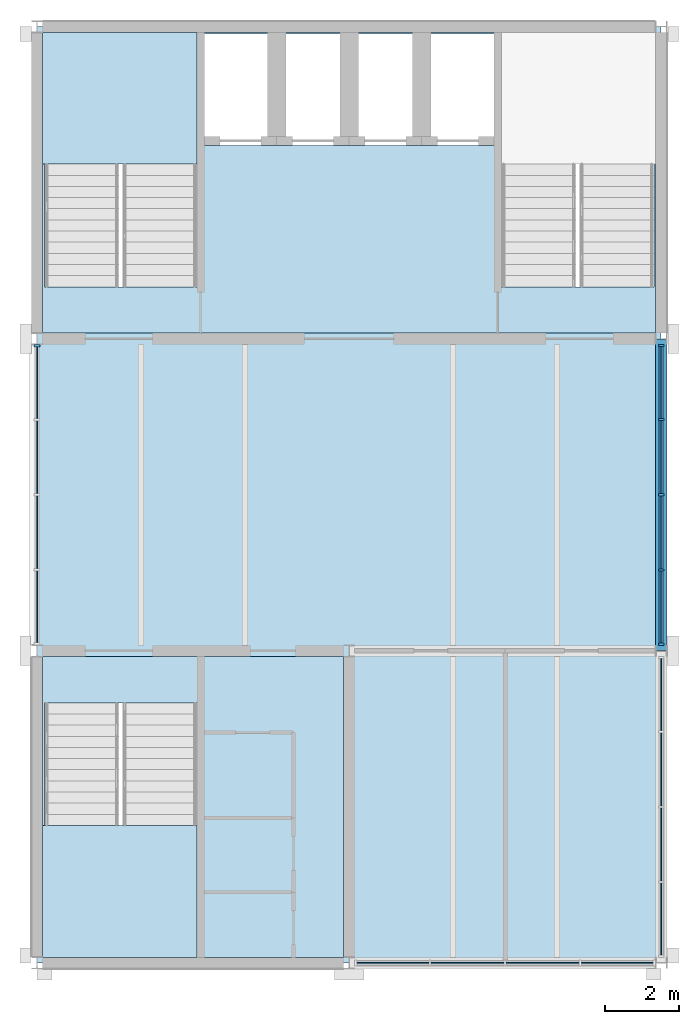
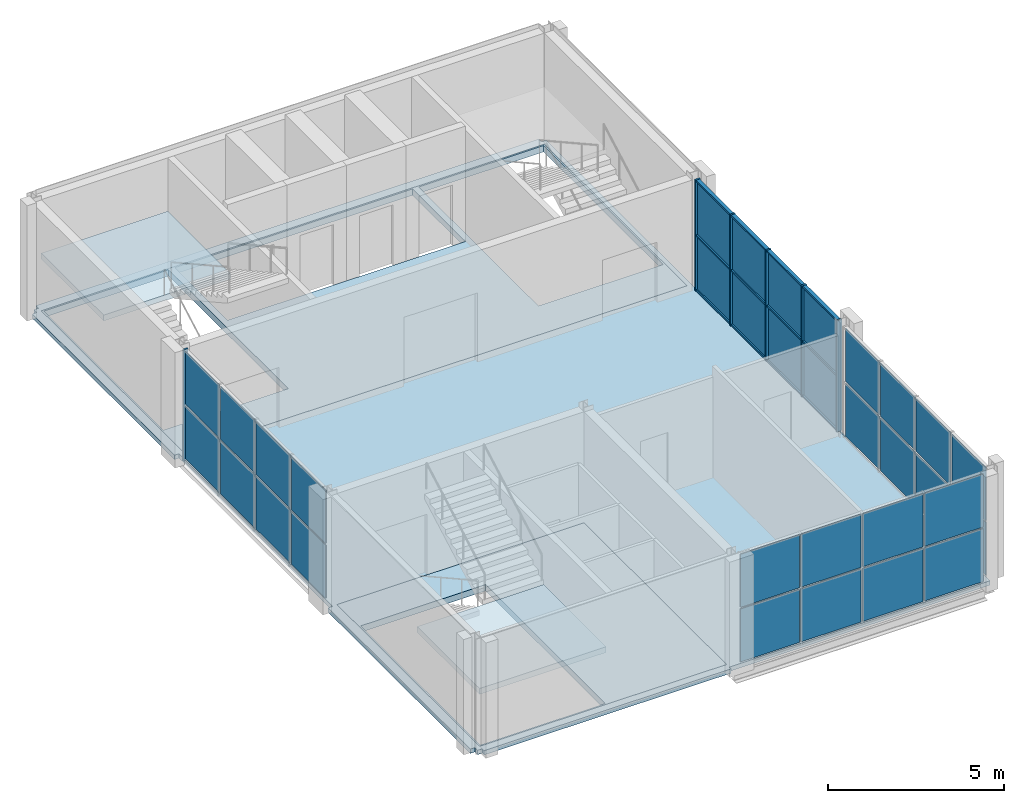
# One storey, part 2 of 5: 32 plates, 18 members, 5 slabs, 1 beam, 6 elements without a shape of their own.
"""IFC4 building model written with IfcOpenShell, lengths in metres."""

from ifc_helpers import new_model, si_unit, direction, frame, origin, origin_2d, place, context, subcontext, project, spatial, polyline, rectangle, i_section, outline, extrude, material, layer, layer_set, material_profile, profile_set, type_object, element, aggregate, save


model = new_model("IFC4")

# Units and contexts
model_context = context("Model", 3, precision=1e-05, world=origin(), true_north=direction((0.0, 1.0)))
body_context = subcontext(model_context, "Body", "Model", "MODEL_VIEW")
ifc_project = project(units=[si_unit("LENGTHUNIT", "METRE"), si_unit("AREAUNIT", "SQUARE_METRE"), si_unit("VOLUMEUNIT", "CUBIC_METRE"), si_unit("PLANEANGLEUNIT", "RADIAN"), si_unit("MASSUNIT", "GRAM", prefix="KILO")], contexts=[model_context])

# Site, building, storey
site_placement = place(None, origin())
site = spatial("IfcSite", under=ifc_project, at=site_placement, CompositionType="ELEMENT")
building_placement = place(site_placement, origin())
building = spatial("IfcBuilding", under=site, at=building_placement, Name="Galleria Vessillo Department Store", CompositionType="ELEMENT")
storey_placement = place(building_placement, frame((0.0, 0.0, 63.60009765625)))
storey = spatial("IfcBuildingStorey", under=building, at=storey_placement, Name="L14", CompositionType="ELEMENT", Elevation=63.60009765625)

# Curtain wall, member
ifc_material_1 = material(Name="Aluminium and glass curtain wall", Category="aluminium")
ifc_layer_1 = layer(ifc_material_1, 0.159912109375)
ifc_layer_set_1 = layer_set([ifc_layer_1], Name="Aluminium and glass curtain wall")
curtain_wall_type = type_object("IfcCurtainWallType", Name="Tower curtain wall CW4 2100 module", PredefinedType="NOTDEFINED", material=ifc_layer_set_1)
curtain_wall_1_placement = place(storey_placement, origin())
curtain_wall_1 = element("IfcCurtainWall", 1, at=curtain_wall_1_placement, inside=storey, type_object=curtain_wall_type, Name="Tower curtain wall CW4 2100 module TW-L14-01", PredefinedType="NOTDEFINED")
ifc_material_2 = material(Name="Aluminium alloy 6063 T6", Category="aluminium")
ifc_material_profile_1 = material_profile(ifc_material_2, rectangle(XDim=0.159912109375, YDim=0.06005859375, at=origin_2d()), Name="AL 60x160")
ifc_profile_set_1 = profile_set([ifc_material_profile_1], Name="Aluminium alloy 6063 T6")
member_type_1 = type_object("IfcMemberType", Name="Aluminium mullion 60 x 160", PredefinedType="MULLION", material=ifc_profile_set_1)
member_1_placement = place(storey_placement, frame((100.800048828125, 54.41015625, 0.0), z_axis=(0.0, 0.0, 1.0), x_axis=(-1.0, 0.0, 0.0)))
member_1 = element("IfcMember", 2, at=member_1_placement, type_object=member_type_1, Name="CW4 mullion 5", PredefinedType="MULLION", context=body_context, shape_type="SweptSolid", body=[
    extrude(rectangle(XDim=0.159912109375, YDim=0.06005859375, at=origin_2d()), origin(), (0.0, 0.0, 1.0), 3.85009765625),
])

# Curtain wall, members
curtain_wall_2_placement = place(storey_placement, origin())
curtain_wall_2 = element("IfcCurtainWall", 3, at=curtain_wall_2_placement, inside=storey, type_object=curtain_wall_type, Name="Tower curtain wall CW4 2100 module TE-L14-02", PredefinedType="NOTDEFINED")
member_2_placement = place(storey_placement, frame((117.60009765625, 46.3798828125, 0.0), z_axis=(0.0, 0.0, 1.0), x_axis=(-1.0, 0.0, 0.0)))
member_2 = element("IfcMember", 4, at=member_2_placement, type_object=member_type_1, Name="CW4 mullion 1", PredefinedType="MULLION", context=body_context, shape_type="SweptSolid", body=[
    extrude(rectangle(XDim=0.159912109375, YDim=0.06005859375, at=origin_2d()), origin(), (0.0, 0.0, 1.0), 3.85009765625),
])
member_3_placement = place(storey_placement, frame((117.60009765625, 48.375, 0.0), z_axis=(0.0, 0.0, 1.0), x_axis=(-1.0, 0.0, 0.0)))
member_3 = element("IfcMember", 5, at=member_3_placement, type_object=member_type_1, Name="CW4 mullion 2", PredefinedType="MULLION", context=body_context, shape_type="SweptSolid", body=[
    extrude(rectangle(XDim=0.159912109375, YDim=0.06005859375, at=origin_2d()), origin(), (0.0, 0.0, 1.0), 3.85009765625),
])
member_4_placement = place(storey_placement, frame((117.60009765625, 50.39990234375, 0.0), z_axis=(0.0, 0.0, 1.0), x_axis=(-1.0, 0.0, 0.0)))
member_4 = element("IfcMember", 6, at=member_4_placement, type_object=member_type_1, Name="CW4 mullion 3", PredefinedType="MULLION", context=body_context, shape_type="SweptSolid", body=[
    extrude(rectangle(XDim=0.159912109375, YDim=0.06005859375, at=origin_2d()), origin(), (0.0, 0.0, 1.0), 3.85009765625),
])
member_5_placement = place(storey_placement, frame((117.60009765625, 52.425048828125, 0.0), z_axis=(0.0, 0.0, 1.0), x_axis=(-1.0, 0.0, 0.0)))
member_5 = element("IfcMember", 7, at=member_5_placement, type_object=member_type_1, Name="CW4 mullion 4", PredefinedType="MULLION", context=body_context, shape_type="SweptSolid", body=[
    extrude(rectangle(XDim=0.159912109375, YDim=0.06005859375, at=origin_2d()), origin(), (0.0, 0.0, 1.0), 3.85009765625),
])
member_6_placement = place(storey_placement, frame((117.60009765625, 54.420166015625, 0.0), z_axis=(0.0, 0.0, 1.0), x_axis=(-1.0, 0.0, 0.0)))
member_6 = element("IfcMember", 8, at=member_6_placement, type_object=member_type_1, Name="CW4 mullion 5", PredefinedType="MULLION", context=body_context, shape_type="SweptSolid", body=[
    extrude(rectangle(XDim=0.159912109375, YDim=0.06005859375, at=origin_2d()), origin(), (0.0, 0.0, 1.0), 3.85009765625),
])
ifc_material_3 = material(Name="Aluminium alloy 6063 T6", Category="aluminium")
ifc_material_profile_2 = material_profile(ifc_material_3, rectangle(XDim=0.1201171875, YDim=0.06005859375, at=origin_2d()), Name="AL 60x120")
ifc_profile_set_2 = profile_set([ifc_material_profile_2], Name="Aluminium alloy 6063 T6")
member_type_2 = type_object("IfcMemberType", Name="Aluminium transom 60 x 120", PredefinedType="USERDEFINED", material=ifc_profile_set_2)
member_7_placement = place(storey_placement, frame((117.60009765625, 46.409912109375, 0.030029296875), z_axis=(0.0, 1.0, 0.0), x_axis=(-1.0, 0.0, 0.0)))
member_7 = element("IfcMember", 9, at=member_7_placement, type_object=member_type_2, Name="CW4 transom 1.1", ObjectType="TRANSOM", PredefinedType="USERDEFINED", context=body_context, shape_type="SweptSolid", body=[
    extrude(rectangle(XDim=0.1201171875, YDim=0.06005859375, at=origin_2d()), origin(), (0.0, 0.0, 1.0), 1.93505859375),
])
member_8_placement = place(storey_placement, frame((117.60009765625, 46.409912109375, 1.925048828125), z_axis=(0.0, 1.0, 0.0), x_axis=(-1.0, 0.0, 0.0)))
member_8 = element("IfcMember", 10, at=member_8_placement, type_object=member_type_2, Name="CW4 transom 1.2", ObjectType="TRANSOM", PredefinedType="USERDEFINED", context=body_context, shape_type="SweptSolid", body=[
    extrude(rectangle(XDim=0.1201171875, YDim=0.06005859375, at=origin_2d()), origin(), (0.0, 0.0, 1.0), 1.93505859375),
])
member_9_placement = place(storey_placement, frame((117.60009765625, 46.409912109375, 3.820068359375), z_axis=(0.0, 1.0, 0.0), x_axis=(-1.0, 0.0, 0.0)))
member_9 = element("IfcMember", 11, at=member_9_placement, type_object=member_type_2, Name="CW4 transom 1.3", ObjectType="TRANSOM", PredefinedType="USERDEFINED", context=body_context, shape_type="SweptSolid", body=[
    extrude(rectangle(XDim=0.1201171875, YDim=0.06005859375, at=origin_2d()), origin(), (0.0, 0.0, 1.0), 1.93505859375),
])
member_10_placement = place(storey_placement, frame((117.60009765625, 48.405029296875, 0.030029296875), z_axis=(0.0, 1.0, 0.0), x_axis=(-1.0, 0.0, 0.0)))
member_10 = element("IfcMember", 12, at=member_10_placement, type_object=member_type_2, Name="CW4 transom 2.1", ObjectType="TRANSOM", PredefinedType="USERDEFINED", context=body_context, shape_type="SweptSolid", body=[
    extrude(rectangle(XDim=0.1201171875, YDim=0.06005859375, at=origin_2d()), origin(), (0.0, 0.0, 1.0), 1.965087890625),
])
member_11_placement = place(storey_placement, frame((117.60009765625, 48.405029296875, 1.925048828125), z_axis=(0.0, 1.0, 0.0), x_axis=(-1.0, 0.0, 0.0)))
member_11 = element("IfcMember", 13, at=member_11_placement, type_object=member_type_2, Name="CW4 transom 2.2", ObjectType="TRANSOM", PredefinedType="USERDEFINED", context=body_context, shape_type="SweptSolid", body=[
    extrude(rectangle(XDim=0.1201171875, YDim=0.06005859375, at=origin_2d()), origin(), (0.0, 0.0, 1.0), 1.965087890625),
])
member_12_placement = place(storey_placement, frame((117.60009765625, 48.405029296875, 3.820068359375), z_axis=(0.0, 1.0, 0.0), x_axis=(-1.0, 0.0, 0.0)))
member_12 = element("IfcMember", 14, at=member_12_placement, type_object=member_type_2, Name="CW4 transom 2.3", ObjectType="TRANSOM", PredefinedType="USERDEFINED", context=body_context, shape_type="SweptSolid", body=[
    extrude(rectangle(XDim=0.1201171875, YDim=0.06005859375, at=origin_2d()), origin(), (0.0, 0.0, 1.0), 1.965087890625),
])
member_13_placement = place(storey_placement, frame((117.60009765625, 50.429931640625, 0.030029296875), z_axis=(0.0, 1.0, 0.0), x_axis=(-1.0, 0.0, 0.0)))
member_13 = element("IfcMember", 15, at=member_13_placement, type_object=member_type_2, Name="CW4 transom 3.1", ObjectType="TRANSOM", PredefinedType="USERDEFINED", context=body_context, shape_type="SweptSolid", body=[
    extrude(rectangle(XDim=0.1201171875, YDim=0.06005859375, at=origin_2d()), origin(), (0.0, 0.0, 1.0), 1.965087890625),
])
member_14_placement = place(storey_placement, frame((117.60009765625, 50.429931640625, 1.925048828125), z_axis=(0.0, 1.0, 0.0), x_axis=(-1.0, 0.0, 0.0)))
member_14 = element("IfcMember", 16, at=member_14_placement, type_object=member_type_2, Name="CW4 transom 3.2", ObjectType="TRANSOM", PredefinedType="USERDEFINED", context=body_context, shape_type="SweptSolid", body=[
    extrude(rectangle(XDim=0.1201171875, YDim=0.06005859375, at=origin_2d()), origin(), (0.0, 0.0, 1.0), 1.965087890625),
])
member_15_placement = place(storey_placement, frame((117.60009765625, 50.429931640625, 3.820068359375), z_axis=(0.0, 1.0, 0.0), x_axis=(-1.0, 0.0, 0.0)))
member_15 = element("IfcMember", 17, at=member_15_placement, type_object=member_type_2, Name="CW4 transom 3.3", ObjectType="TRANSOM", PredefinedType="USERDEFINED", context=body_context, shape_type="SweptSolid", body=[
    extrude(rectangle(XDim=0.1201171875, YDim=0.06005859375, at=origin_2d()), origin(), (0.0, 0.0, 1.0), 1.965087890625),
])
member_16_placement = place(storey_placement, frame((117.60009765625, 52.455078125, 0.030029296875), z_axis=(0.0, 1.0, 0.0), x_axis=(-1.0, 0.0, 0.0)))
member_16 = element("IfcMember", 18, at=member_16_placement, type_object=member_type_2, Name="CW4 transom 4.1", ObjectType="TRANSOM", PredefinedType="USERDEFINED", context=body_context, shape_type="SweptSolid", body=[
    extrude(rectangle(XDim=0.1201171875, YDim=0.06005859375, at=origin_2d()), origin(), (0.0, 0.0, 1.0), 1.93505859375),
])
member_17_placement = place(storey_placement, frame((117.60009765625, 52.455078125, 1.925048828125), z_axis=(0.0, 1.0, 0.0), x_axis=(-1.0, 0.0, 0.0)))
member_17 = element("IfcMember", 19, at=member_17_placement, type_object=member_type_2, Name="CW4 transom 4.2", ObjectType="TRANSOM", PredefinedType="USERDEFINED", context=body_context, shape_type="SweptSolid", body=[
    extrude(rectangle(XDim=0.1201171875, YDim=0.06005859375, at=origin_2d()), origin(), (0.0, 0.0, 1.0), 1.93505859375),
])
member_18_placement = place(storey_placement, frame((117.60009765625, 52.455078125, 3.820068359375), z_axis=(0.0, 1.0, 0.0), x_axis=(-1.0, 0.0, 0.0)))
member_18 = element("IfcMember", 20, at=member_18_placement, type_object=member_type_2, Name="CW4 transom 4.3", ObjectType="TRANSOM", PredefinedType="USERDEFINED", context=body_context, shape_type="SweptSolid", body=[
    extrude(rectangle(XDim=0.1201171875, YDim=0.06005859375, at=origin_2d()), origin(), (0.0, 0.0, 1.0), 1.93505859375),
])

# Beam
ifc_material_4 = material(Name="Steel S355 J2", Category="steel")
ifc_material_profile_3 = material_profile(ifc_material_4, i_section(OverallWidth=0.300048828125, OverallDepth=0.2900390625, WebThickness=0.008544921875, FlangeThickness=0.013916015625, FilletRadius=0.027099609375, at=origin_2d()), Name="HEA 300")
ifc_profile_set_3 = profile_set([ifc_material_profile_3], Name="Steel S355 J2")
beam_type = type_object("IfcBeamType", Name="Spandrel beam HEA 300", PredefinedType="SPANDREL", material=ifc_profile_set_3)
beam_placement = place(storey_placement, frame((117.60009765625, 46.205810546875, -0.294921875), z_axis=(0.0, 1.0, 0.0), x_axis=(-1.0, 0.0, 0.0)))
element("IfcBeam", 21, at=beam_placement, inside=storey, type_object=beam_type, Name="S-BM-L14-SP-y117600-46206", PredefinedType="SPANDREL", context=body_context, shape_type="SweptSolid", body=[
    extrude(i_section(OverallWidth=0.300048828125, OverallDepth=0.2900390625, WebThickness=0.008544921875, FlangeThickness=0.013916015625, FilletRadius=0.027099609375, at=origin_2d()), origin(), (0.0, 0.0, 1.0), 8.388427734375),
])

# Slab
ifc_material_5 = material(Name="Concrete C32/40 composite on steel deck", Category="concrete")
ifc_layer_2 = layer(ifc_material_5, 0.14990234375)
ifc_layer_set_2 = layer_set([ifc_layer_2], Name="Concrete C32/40 composite on steel deck")
slab_type_1 = type_object("IfcSlabType", Name="Composite floor slab 150 mm", PredefinedType="FLOOR", material=ifc_layer_set_2)
slab_1_placement = place(storey_placement, frame((0.0, 0.0, -0.14990234375)))
element("IfcSlab", 22, at=slab_1_placement, inside=storey, type_object=slab_type_1, Name="S-SLAB-L14-FLOOR", PredefinedType="FLOOR", context=body_context, shape_type="SweptSolid", body=[
    extrude(outline(polyline([(100.650634765625, 46.039306640625), (100.800048828125, 46.039306640625), (100.800048828125, 54.7607421875), (100.650634765625, 54.7607421875), (100.650634765625, 62.83935546875), (100.800048828125, 62.83935546875), (100.800048828125, 63.0), (100.95068359375, 63.0), (100.95068359375, 63.1494140625), (117.439453125, 63.1494140625), (117.439453125, 63.0), (117.60009765625, 63.0), (117.60009765625, 37.800048828125), (109.04931640625, 37.800048828125), (109.04931640625, 37.699951171875), (100.95068359375, 37.699951171875), (100.95068359375, 37.800048828125), (100.800048828125, 37.800048828125), (100.800048828125, 37.960693359375), (100.650634765625, 37.960693359375), (100.650634765625, 46.039306640625)]), holes=[polyline([(109.050048828125, 37.949951171875), (109.050048828125, 46.050048828125), (100.949951171875, 46.050048828125), (100.949951171875, 37.949951171875), (109.050048828125, 37.949951171875)]), polyline([(117.4501953125, 54.75), (117.4501953125, 62.85009765625), (100.949951171875, 62.85009765625), (100.949951171875, 54.75), (117.4501953125, 54.75)])]), origin(), (0.0, 0.0, 1.0), 0.14990234375),
])

# Plate
ifc_material_6 = material(Name="Glass laminated 44.2 low-e", Category="glass")
ifc_layer_3 = layer(ifc_material_6, 0.028076171875)
ifc_layer_set_3 = layer_set([ifc_layer_3], Name="Glass laminated 44.2 low-e")
plate_type_1 = type_object("IfcPlateType", Name="Laminated glass panel 28 mm", PredefinedType="CURTAIN_PANEL", material=ifc_layer_set_3)
plate_1_placement = place(storey_placement, frame((100.800048828125, 47.385009765625, 1.955078125), z_axis=(0.0, 0.0, 1.0), x_axis=(0.0, 1.0, 0.0)))
plate_1 = element("IfcPlate", 23, at=plate_1_placement, type_object=plate_type_1, Name="CW4 panel 1.2", PredefinedType="CURTAIN_PANEL", context=body_context, shape_type="SweptSolid", body=[
    extrude(rectangle(XDim=1.93017578125, YDim=0.028076171875, at=origin_2d()), origin(), (0.0, 0.0, 1.0), 1.835205078125),
])

plate_2_placement = place(storey_placement, frame((100.800048828125, 49.389892578125, 1.955078125), z_axis=(0.0, 0.0, 1.0), x_axis=(0.0, 1.0, 0.0)))
plate_2 = element("IfcPlate", 24, at=plate_2_placement, type_object=plate_type_1, Name="CW4 panel 2.2", PredefinedType="CURTAIN_PANEL", context=body_context, shape_type="SweptSolid", body=[
    extrude(rectangle(XDim=1.9599609375, YDim=0.028076171875, at=origin_2d()), origin(), (0.0, 0.0, 1.0), 1.835205078125),
])

plate_3_placement = place(storey_placement, frame((100.800048828125, 51.41015625, 1.955078125), z_axis=(0.0, 0.0, 1.0), x_axis=(0.0, 1.0, 0.0)))
plate_3 = element("IfcPlate", 25, at=plate_3_placement, type_object=plate_type_1, Name="CW4 panel 3.2", PredefinedType="CURTAIN_PANEL", context=body_context, shape_type="SweptSolid", body=[
    extrude(rectangle(XDim=1.9599609375, YDim=0.028076171875, at=origin_2d()), origin(), (0.0, 0.0, 1.0), 1.835205078125),
])

plate_4_placement = place(storey_placement, frame((100.800048828125, 53.4150390625, 1.955078125), z_axis=(0.0, 0.0, 1.0), x_axis=(0.0, 1.0, 0.0)))
plate_4 = element("IfcPlate", 26, at=plate_4_placement, type_object=plate_type_1, Name="CW4 panel 4.2", PredefinedType="CURTAIN_PANEL", context=body_context, shape_type="SweptSolid", body=[
    extrude(rectangle(XDim=1.93017578125, YDim=0.028076171875, at=origin_2d()), origin(), (0.0, 0.0, 1.0), 1.835205078125),
])

# Curtain wall, plates
curtain_wall_3_placement = place(storey_placement, origin())
curtain_wall_3 = element("IfcCurtainWall", 27, at=curtain_wall_3_placement, inside=storey, type_object=curtain_wall_type, Name="Tower curtain wall CW4 2100 module TS-L14-01", PredefinedType="NOTDEFINED")
plate_5_placement = place(storey_placement, frame((110.376220703125, 37.800048828125, 1.955078125), z_axis=(0.0, 0.0, 1.0), x_axis=(1.0, 0.0, 0.0)))
plate_5 = element("IfcPlate", 28, at=plate_5_placement, type_object=plate_type_1, Name="CW4 panel 1.2", PredefinedType="CURTAIN_PANEL", context=body_context, shape_type="SweptSolid", body=[
    extrude(rectangle(XDim=1.9326171875, YDim=0.028076171875, at=origin_2d()), origin(), (0.0, 0.0, 1.0), 1.835205078125),
])
plate_6_placement = place(storey_placement, frame((112.3837890625, 37.800048828125, 1.955078125), z_axis=(0.0, 0.0, 1.0), x_axis=(1.0, 0.0, 0.0)))
plate_6 = element("IfcPlate", 29, at=plate_6_placement, type_object=plate_type_1, Name="CW4 panel 2.2", PredefinedType="CURTAIN_PANEL", context=body_context, shape_type="SweptSolid", body=[
    extrude(rectangle(XDim=1.962646484375, YDim=0.028076171875, at=origin_2d()), origin(), (0.0, 0.0, 1.0), 1.835205078125),
])
plate_7_placement = place(storey_placement, frame((114.40625, 37.800048828125, 1.955078125), z_axis=(0.0, 0.0, 1.0), x_axis=(1.0, 0.0, 0.0)))
plate_7 = element("IfcPlate", 30, at=plate_7_placement, type_object=plate_type_1, Name="CW4 panel 3.2", PredefinedType="CURTAIN_PANEL", context=body_context, shape_type="SweptSolid", body=[
    extrude(rectangle(XDim=1.962646484375, YDim=0.028076171875, at=origin_2d()), origin(), (0.0, 0.0, 1.0), 1.835205078125),
])
plate_8_placement = place(storey_placement, frame((116.413818359375, 37.800048828125, 1.955078125), z_axis=(0.0, 0.0, 1.0), x_axis=(1.0, 0.0, 0.0)))
plate_8 = element("IfcPlate", 31, at=plate_8_placement, type_object=plate_type_1, Name="CW4 panel 4.2", PredefinedType="CURTAIN_PANEL", context=body_context, shape_type="SweptSolid", body=[
    extrude(rectangle(XDim=1.9326171875, YDim=0.028076171875, at=origin_2d()), origin(), (0.0, 0.0, 1.0), 1.835205078125),
])

curtain_wall_4_placement = place(storey_placement, origin())
curtain_wall_4 = element("IfcCurtainWall", 32, at=curtain_wall_4_placement, inside=storey, type_object=curtain_wall_type, Name="Tower curtain wall CW4 2100 module TE-L14-01", PredefinedType="NOTDEFINED")
plate_9_placement = place(storey_placement, frame((117.60009765625, 38.9775390625, 1.955078125), z_axis=(0.0, 0.0, 1.0), x_axis=(0.0, 1.0, 0.0)))
plate_9 = element("IfcPlate", 33, at=plate_9_placement, type_object=plate_type_1, Name="CW4 panel 1.2", PredefinedType="CURTAIN_PANEL", context=body_context, shape_type="SweptSolid", body=[
    extrude(rectangle(XDim=1.93505859375, YDim=0.028076171875, at=origin_2d()), origin(), (0.0, 0.0, 1.0), 1.835205078125),
])
plate_10_placement = place(storey_placement, frame((117.60009765625, 40.987548828125, 1.955078125), z_axis=(0.0, 0.0, 1.0), x_axis=(0.0, 1.0, 0.0)))
plate_10 = element("IfcPlate", 34, at=plate_10_placement, type_object=plate_type_1, Name="CW4 panel 2.2", PredefinedType="CURTAIN_PANEL", context=body_context, shape_type="SweptSolid", body=[
    extrude(rectangle(XDim=1.965087890625, YDim=0.028076171875, at=origin_2d()), origin(), (0.0, 0.0, 1.0), 1.835205078125),
])
plate_11_placement = place(storey_placement, frame((117.60009765625, 43.012451171875, 1.955078125), z_axis=(0.0, 0.0, 1.0), x_axis=(0.0, 1.0, 0.0)))
plate_11 = element("IfcPlate", 35, at=plate_11_placement, type_object=plate_type_1, Name="CW4 panel 3.2", PredefinedType="CURTAIN_PANEL", context=body_context, shape_type="SweptSolid", body=[
    extrude(rectangle(XDim=1.965087890625, YDim=0.028076171875, at=origin_2d()), origin(), (0.0, 0.0, 1.0), 1.835205078125),
])
plate_12_placement = place(storey_placement, frame((117.60009765625, 45.0224609375, 1.955078125), z_axis=(0.0, 0.0, 1.0), x_axis=(0.0, 1.0, 0.0)))
plate_12 = element("IfcPlate", 36, at=plate_12_placement, type_object=plate_type_1, Name="CW4 panel 4.2", PredefinedType="CURTAIN_PANEL", context=body_context, shape_type="SweptSolid", body=[
    extrude(rectangle(XDim=1.93505859375, YDim=0.028076171875, at=origin_2d()), origin(), (0.0, 0.0, 1.0), 1.835205078125),
])

# Plate
plate_13_placement = place(storey_placement, frame((117.60009765625, 47.37744140625, 1.955078125), z_axis=(0.0, 0.0, 1.0), x_axis=(0.0, 1.0, 0.0)))
plate_13 = element("IfcPlate", 37, at=plate_13_placement, type_object=plate_type_1, Name="CW4 panel 1.2", PredefinedType="CURTAIN_PANEL", context=body_context, shape_type="SweptSolid", body=[
    extrude(rectangle(XDim=1.93505859375, YDim=0.028076171875, at=origin_2d()), origin(), (0.0, 0.0, 1.0), 1.835205078125),
])

plate_14_placement = place(storey_placement, frame((117.60009765625, 49.387451171875, 1.955078125), z_axis=(0.0, 0.0, 1.0), x_axis=(0.0, 1.0, 0.0)))
plate_14 = element("IfcPlate", 38, at=plate_14_placement, type_object=plate_type_1, Name="CW4 panel 2.2", PredefinedType="CURTAIN_PANEL", context=body_context, shape_type="SweptSolid", body=[
    extrude(rectangle(XDim=1.965087890625, YDim=0.028076171875, at=origin_2d()), origin(), (0.0, 0.0, 1.0), 1.835205078125),
])

plate_15_placement = place(storey_placement, frame((117.60009765625, 51.41259765625, 1.955078125), z_axis=(0.0, 0.0, 1.0), x_axis=(0.0, 1.0, 0.0)))
plate_15 = element("IfcPlate", 39, at=plate_15_placement, type_object=plate_type_1, Name="CW4 panel 3.2", PredefinedType="CURTAIN_PANEL", context=body_context, shape_type="SweptSolid", body=[
    extrude(rectangle(XDim=1.965087890625, YDim=0.028076171875, at=origin_2d()), origin(), (0.0, 0.0, 1.0), 1.835205078125),
])

plate_16_placement = place(storey_placement, frame((117.60009765625, 53.422607421875, 1.955078125), z_axis=(0.0, 0.0, 1.0), x_axis=(0.0, 1.0, 0.0)))
plate_16 = element("IfcPlate", 40, at=plate_16_placement, type_object=plate_type_1, Name="CW4 panel 4.2", PredefinedType="CURTAIN_PANEL", context=body_context, shape_type="SweptSolid", body=[
    extrude(rectangle(XDim=1.93505859375, YDim=0.028076171875, at=origin_2d()), origin(), (0.0, 0.0, 1.0), 1.835205078125),
])

# Slabs
ifc_material_7 = material(Name="Concrete C32/40 reinforced", Category="concrete")
ifc_layer_4 = layer(ifc_material_7, 0.219970703125)
ifc_layer_set_4 = layer_set([ifc_layer_4], Name="Concrete C32/40 reinforced")
slab_type_2 = type_object("IfcSlabType", Name="Reinforced concrete core floor slab 220 mm", PredefinedType="FLOOR", material=ifc_layer_set_4)
slab_2_placement = place(storey_placement, frame((0.0, 0.0, -0.219970703125)))
element("IfcSlab", 41, at=slab_2_placement, inside=storey, type_object=slab_type_2, Name="S-SLAB-L14-CORE-TC", PredefinedType="FLOOR", context=body_context, shape_type="SweptSolid", body=[
    extrude(outline(polyline([(100.949951171875, 54.75), (100.949951171875, 62.85009765625), (117.4501953125, 62.85009765625), (117.4501953125, 54.75), (100.949951171875, 54.75)]), holes=[polyline([(105.10009765625, 56.0), (105.10009765625, 62.800048828125), (101.0, 62.800048828125), (101.0, 56.0), (105.10009765625, 56.0)]), polyline([(113.300048828125, 56.0), (117.39990234375, 56.0), (117.39990234375, 62.800048828125), (113.300048828125, 62.800048828125), (113.300048828125, 56.0)]), polyline([(105.300048828125, 59.800048828125), (113.10009765625, 59.800048828125), (113.10009765625, 62.800048828125), (105.300048828125, 62.800048828125), (105.300048828125, 59.800048828125)])]), origin(), (0.0, 0.0, 1.0), 0.219970703125),
])
slab_3_placement = place(storey_placement, frame((0.0, 0.0, -0.219970703125)))
element("IfcSlab", 42, at=slab_3_placement, inside=storey, type_object=slab_type_2, Name="S-SLAB-L14-CORE-TS", PredefinedType="FLOOR", context=body_context, shape_type="SweptSolid", body=[
    extrude(outline(polyline([(100.949951171875, 37.949951171875), (100.949951171875, 46.050048828125), (109.050048828125, 46.050048828125), (109.050048828125, 37.949951171875), (100.949951171875, 37.949951171875)]), holes=[polyline([(105.10009765625, 44.800048828125), (101.0, 44.800048828125), (101.0, 38.0), (105.10009765625, 38.0), (105.10009765625, 44.800048828125)])]), origin(), (0.0, 0.0, 1.0), 0.219970703125),
])

# Stair, slab
ifc_material_8 = material(Name="Concrete C32/40", Category="concrete")
stair_type = type_object("IfcStairType", Name="Half-turn escape stair 2000 mm, 24 risers of 167 mm", PredefinedType="HALF_TURN_STAIR", material=ifc_material_8)
stair_1_placement = place(storey_placement, origin())
stair_1 = element("IfcStair", 43, at=stair_1_placement, inside=storey, type_object=stair_type, Name="Stair ST8 L14", PredefinedType="HALF_TURN_STAIR")
ifc_material_9 = material(Name="Concrete C32/40", Category="concrete")
ifc_layer_5 = layer(ifc_material_9, 0.199951171875)
ifc_layer_set_5 = layer_set([ifc_layer_5], Name="Concrete C32/40")
slab_type_3 = type_object("IfcSlabType", Name="Stair half landing 4150 x 3550 mm", PredefinedType="LANDING", material=ifc_layer_set_5)
slab_4_placement = place(storey_placement, frame((0.0, 0.0, 1.800048828125)))
slab_4 = element("IfcSlab", 44, at=slab_4_placement, type_object=slab_type_3, Name="ST8 landing 1", PredefinedType="LANDING", context=body_context, shape_type="SweptSolid", body=[
    extrude(outline(polyline([(100.949951171875, 59.300048828125), (100.949951171875, 62.85009765625), (105.10009765625, 62.85009765625), (105.10009765625, 59.300048828125), (100.949951171875, 59.300048828125)])), origin(), (0.0, 0.0, 1.0), 0.199951171875),
])
aggregate(stair_1, [slab_4])

stair_2_placement = place(storey_placement, origin())
stair_2 = element("IfcStair", 45, at=stair_2_placement, inside=storey, type_object=stair_type, Name="Stair ST12 L14", PredefinedType="HALF_TURN_STAIR")
slab_5_placement = place(storey_placement, frame((0.0, 0.0, 1.800048828125)))
slab_5 = element("IfcSlab", 46, at=slab_5_placement, type_object=slab_type_3, Name="ST12 landing 1", PredefinedType="LANDING", context=body_context, shape_type="SweptSolid", body=[
    extrude(outline(polyline([(100.949951171875, 37.949951171875), (100.949951171875, 41.5), (105.10009765625, 41.5), (105.10009765625, 37.949951171875), (100.949951171875, 37.949951171875)])), origin(), (0.0, 0.0, 1.0), 0.199951171875),
])
aggregate(stair_2, [slab_5])

# Plate
ifc_material_10 = material(Name="Limestone spandrel on aluminium tray", Category="masonry")
ifc_layer_6 = layer(ifc_material_10, 0.028076171875)
ifc_layer_set_6 = layer_set([ifc_layer_6], Name="Limestone spandrel on aluminium tray")
plate_type_2 = type_object("IfcPlateType", Name="Stone spandrel panel 28 mm", PredefinedType="CURTAIN_PANEL", material=ifc_layer_set_6)
plate_17_placement = place(storey_placement, frame((100.800048828125, 47.385009765625, 0.06005859375), z_axis=(0.0, 0.0, 1.0), x_axis=(0.0, 1.0, 0.0)))
plate_17 = element("IfcPlate", 47, at=plate_17_placement, type_object=plate_type_2, Name="CW4 panel 1.1", PredefinedType="CURTAIN_PANEL", context=body_context, shape_type="SweptSolid", body=[
    extrude(rectangle(XDim=1.93017578125, YDim=0.028076171875, at=origin_2d()), origin(), (0.0, 0.0, 1.0), 1.8349609375),
])

plate_18_placement = place(storey_placement, frame((100.800048828125, 49.389892578125, 0.06005859375), z_axis=(0.0, 0.0, 1.0), x_axis=(0.0, 1.0, 0.0)))
plate_18 = element("IfcPlate", 48, at=plate_18_placement, type_object=plate_type_2, Name="CW4 panel 2.1", PredefinedType="CURTAIN_PANEL", context=body_context, shape_type="SweptSolid", body=[
    extrude(rectangle(XDim=1.9599609375, YDim=0.028076171875, at=origin_2d()), origin(), (0.0, 0.0, 1.0), 1.8349609375),
])

plate_19_placement = place(storey_placement, frame((100.800048828125, 51.41015625, 0.06005859375), z_axis=(0.0, 0.0, 1.0), x_axis=(0.0, 1.0, 0.0)))
plate_19 = element("IfcPlate", 49, at=plate_19_placement, type_object=plate_type_2, Name="CW4 panel 3.1", PredefinedType="CURTAIN_PANEL", context=body_context, shape_type="SweptSolid", body=[
    extrude(rectangle(XDim=1.9599609375, YDim=0.028076171875, at=origin_2d()), origin(), (0.0, 0.0, 1.0), 1.8349609375),
])

plate_20_placement = place(storey_placement, frame((100.800048828125, 53.4150390625, 0.06005859375), z_axis=(0.0, 0.0, 1.0), x_axis=(0.0, 1.0, 0.0)))
plate_20 = element("IfcPlate", 50, at=plate_20_placement, type_object=plate_type_2, Name="CW4 panel 4.1", PredefinedType="CURTAIN_PANEL", context=body_context, shape_type="SweptSolid", body=[
    extrude(rectangle(XDim=1.93017578125, YDim=0.028076171875, at=origin_2d()), origin(), (0.0, 0.0, 1.0), 1.8349609375),
])

aggregate(curtain_wall_1, [member_1, plate_17, plate_1, plate_18, plate_2, plate_19, plate_3, plate_20, plate_4])

plate_21_placement = place(storey_placement, frame((110.376220703125, 37.800048828125, 0.06005859375), z_axis=(0.0, 0.0, 1.0), x_axis=(1.0, 0.0, 0.0)))
plate_21 = element("IfcPlate", 51, at=plate_21_placement, type_object=plate_type_2, Name="CW4 panel 1.1", PredefinedType="CURTAIN_PANEL", context=body_context, shape_type="SweptSolid", body=[
    extrude(rectangle(XDim=1.9326171875, YDim=0.028076171875, at=origin_2d()), origin(), (0.0, 0.0, 1.0), 1.8349609375),
])

plate_22_placement = place(storey_placement, frame((112.3837890625, 37.800048828125, 0.06005859375), z_axis=(0.0, 0.0, 1.0), x_axis=(1.0, 0.0, 0.0)))
plate_22 = element("IfcPlate", 52, at=plate_22_placement, type_object=plate_type_2, Name="CW4 panel 2.1", PredefinedType="CURTAIN_PANEL", context=body_context, shape_type="SweptSolid", body=[
    extrude(rectangle(XDim=1.962646484375, YDim=0.028076171875, at=origin_2d()), origin(), (0.0, 0.0, 1.0), 1.8349609375),
])

plate_23_placement = place(storey_placement, frame((114.40625, 37.800048828125, 0.06005859375), z_axis=(0.0, 0.0, 1.0), x_axis=(1.0, 0.0, 0.0)))
plate_23 = element("IfcPlate", 53, at=plate_23_placement, type_object=plate_type_2, Name="CW4 panel 3.1", PredefinedType="CURTAIN_PANEL", context=body_context, shape_type="SweptSolid", body=[
    extrude(rectangle(XDim=1.962646484375, YDim=0.028076171875, at=origin_2d()), origin(), (0.0, 0.0, 1.0), 1.8349609375),
])

plate_24_placement = place(storey_placement, frame((116.413818359375, 37.800048828125, 0.06005859375), z_axis=(0.0, 0.0, 1.0), x_axis=(1.0, 0.0, 0.0)))
plate_24 = element("IfcPlate", 54, at=plate_24_placement, type_object=plate_type_2, Name="CW4 panel 4.1", PredefinedType="CURTAIN_PANEL", context=body_context, shape_type="SweptSolid", body=[
    extrude(rectangle(XDim=1.9326171875, YDim=0.028076171875, at=origin_2d()), origin(), (0.0, 0.0, 1.0), 1.8349609375),
])

aggregate(curtain_wall_3, [plate_21, plate_5, plate_22, plate_6, plate_23, plate_7, plate_24, plate_8])

plate_25_placement = place(storey_placement, frame((117.60009765625, 38.9775390625, 0.06005859375), z_axis=(0.0, 0.0, 1.0), x_axis=(0.0, 1.0, 0.0)))
plate_25 = element("IfcPlate", 55, at=plate_25_placement, type_object=plate_type_2, Name="CW4 panel 1.1", PredefinedType="CURTAIN_PANEL", context=body_context, shape_type="SweptSolid", body=[
    extrude(rectangle(XDim=1.93505859375, YDim=0.028076171875, at=origin_2d()), origin(), (0.0, 0.0, 1.0), 1.8349609375),
])

plate_26_placement = place(storey_placement, frame((117.60009765625, 40.987548828125, 0.06005859375), z_axis=(0.0, 0.0, 1.0), x_axis=(0.0, 1.0, 0.0)))
plate_26 = element("IfcPlate", 56, at=plate_26_placement, type_object=plate_type_2, Name="CW4 panel 2.1", PredefinedType="CURTAIN_PANEL", context=body_context, shape_type="SweptSolid", body=[
    extrude(rectangle(XDim=1.965087890625, YDim=0.028076171875, at=origin_2d()), origin(), (0.0, 0.0, 1.0), 1.8349609375),
])

plate_27_placement = place(storey_placement, frame((117.60009765625, 43.012451171875, 0.06005859375), z_axis=(0.0, 0.0, 1.0), x_axis=(0.0, 1.0, 0.0)))
plate_27 = element("IfcPlate", 57, at=plate_27_placement, type_object=plate_type_2, Name="CW4 panel 3.1", PredefinedType="CURTAIN_PANEL", context=body_context, shape_type="SweptSolid", body=[
    extrude(rectangle(XDim=1.965087890625, YDim=0.028076171875, at=origin_2d()), origin(), (0.0, 0.0, 1.0), 1.8349609375),
])

plate_28_placement = place(storey_placement, frame((117.60009765625, 45.0224609375, 0.06005859375), z_axis=(0.0, 0.0, 1.0), x_axis=(0.0, 1.0, 0.0)))
plate_28 = element("IfcPlate", 58, at=plate_28_placement, type_object=plate_type_2, Name="CW4 panel 4.1", PredefinedType="CURTAIN_PANEL", context=body_context, shape_type="SweptSolid", body=[
    extrude(rectangle(XDim=1.93505859375, YDim=0.028076171875, at=origin_2d()), origin(), (0.0, 0.0, 1.0), 1.8349609375),
])

aggregate(curtain_wall_4, [plate_25, plate_9, plate_26, plate_10, plate_27, plate_11, plate_28, plate_12])

plate_29_placement = place(storey_placement, frame((117.60009765625, 47.37744140625, 0.06005859375), z_axis=(0.0, 0.0, 1.0), x_axis=(0.0, 1.0, 0.0)))
plate_29 = element("IfcPlate", 59, at=plate_29_placement, type_object=plate_type_2, Name="CW4 panel 1.1", PredefinedType="CURTAIN_PANEL", context=body_context, shape_type="SweptSolid", body=[
    extrude(rectangle(XDim=1.93505859375, YDim=0.028076171875, at=origin_2d()), origin(), (0.0, 0.0, 1.0), 1.8349609375),
])

plate_30_placement = place(storey_placement, frame((117.60009765625, 49.387451171875, 0.06005859375), z_axis=(0.0, 0.0, 1.0), x_axis=(0.0, 1.0, 0.0)))
plate_30 = element("IfcPlate", 60, at=plate_30_placement, type_object=plate_type_2, Name="CW4 panel 2.1", PredefinedType="CURTAIN_PANEL", context=body_context, shape_type="SweptSolid", body=[
    extrude(rectangle(XDim=1.965087890625, YDim=0.028076171875, at=origin_2d()), origin(), (0.0, 0.0, 1.0), 1.8349609375),
])

plate_31_placement = place(storey_placement, frame((117.60009765625, 51.41259765625, 0.06005859375), z_axis=(0.0, 0.0, 1.0), x_axis=(0.0, 1.0, 0.0)))
plate_31 = element("IfcPlate", 61, at=plate_31_placement, type_object=plate_type_2, Name="CW4 panel 3.1", PredefinedType="CURTAIN_PANEL", context=body_context, shape_type="SweptSolid", body=[
    extrude(rectangle(XDim=1.965087890625, YDim=0.028076171875, at=origin_2d()), origin(), (0.0, 0.0, 1.0), 1.8349609375),
])

plate_32_placement = place(storey_placement, frame((117.60009765625, 53.422607421875, 0.06005859375), z_axis=(0.0, 0.0, 1.0), x_axis=(0.0, 1.0, 0.0)))
plate_32 = element("IfcPlate", 62, at=plate_32_placement, type_object=plate_type_2, Name="CW4 panel 4.1", PredefinedType="CURTAIN_PANEL", context=body_context, shape_type="SweptSolid", body=[
    extrude(rectangle(XDim=1.93505859375, YDim=0.028076171875, at=origin_2d()), origin(), (0.0, 0.0, 1.0), 1.8349609375),
])

aggregate(curtain_wall_2, [member_2, member_3, member_4, member_5, member_6, member_7, member_8, member_9, plate_29, plate_13, member_10, member_11, member_12, plate_30, plate_14, member_13, member_14, member_15, plate_31, plate_15, member_16, member_17, member_18, plate_32, plate_16])

save(model, "model.ifc")
